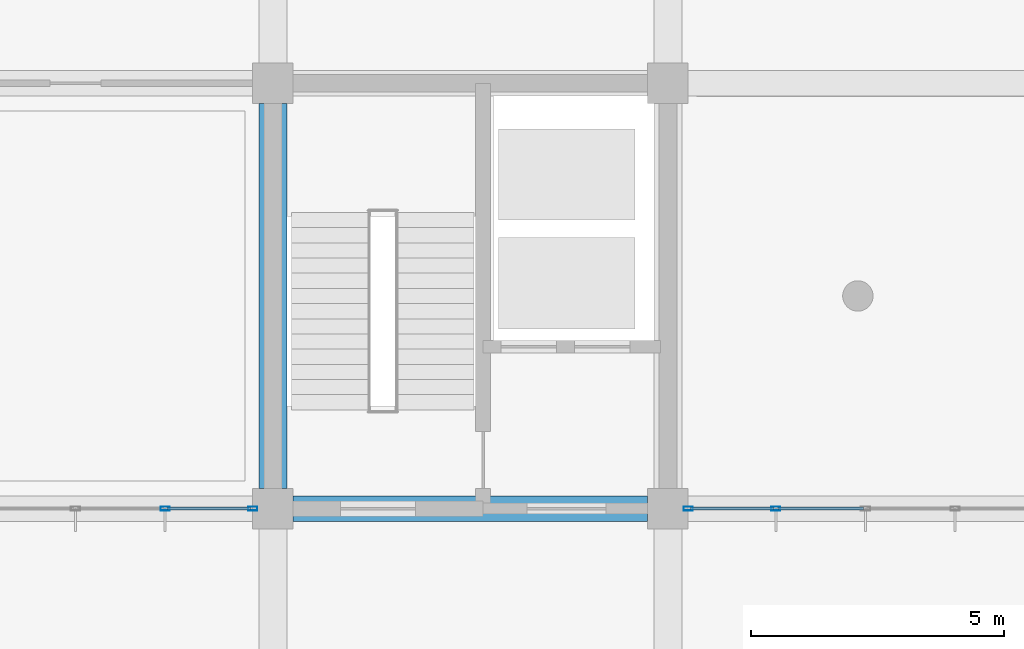
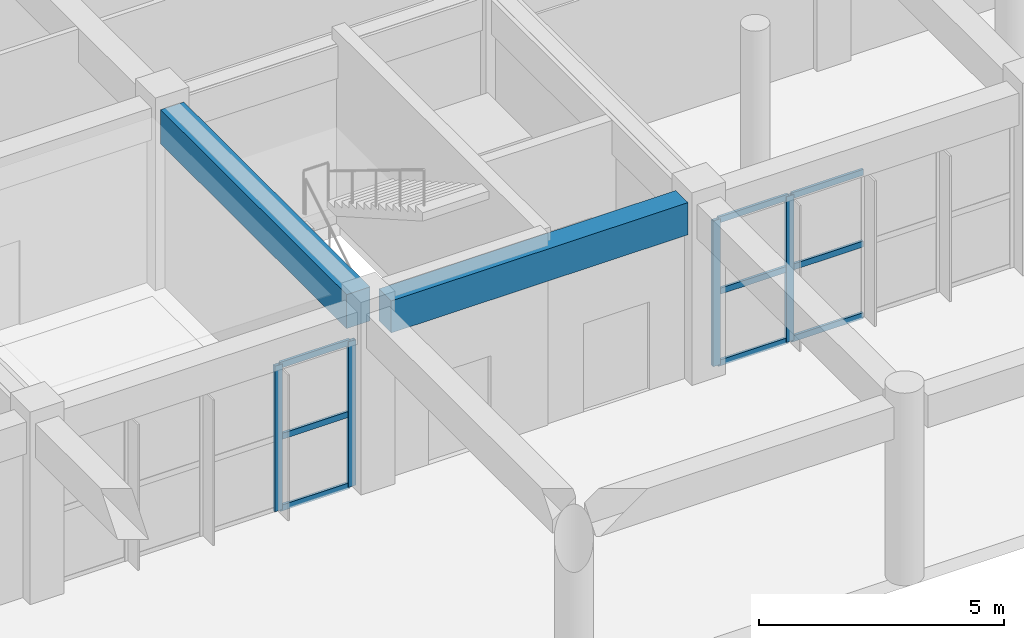
# One storey, part 18 of 139: 13 members, 2 beams, 2 elements without a shape of their own.
"""IFC4 building model written with IfcOpenShell, lengths in metres."""

from ifc_helpers import new_model, si_unit, direction, frame, origin, origin_2d, place, context, subcontext, project, spatial, rectangle, hollow_rectangle, extrude, material, layer, layer_set, material_profile, profile_set, type_object, element, aggregate, save


model = new_model("IFC4")

# Units and contexts
model_context = context("Model", 3, precision=1e-05, world=origin(), true_north=direction((0.0, 1.0)))
body_context = subcontext(model_context, "Body", "Model", "MODEL_VIEW")
ifc_project = project(units=[si_unit("LENGTHUNIT", "METRE"), si_unit("AREAUNIT", "SQUARE_METRE"), si_unit("VOLUMEUNIT", "CUBIC_METRE"), si_unit("PLANEANGLEUNIT", "RADIAN"), si_unit("MASSUNIT", "GRAM", prefix="KILO")], contexts=[model_context])

# Site, building, storey
site_placement = place(None, origin())
site = spatial("IfcSite", under=ifc_project, at=site_placement, CompositionType="ELEMENT")
building_placement = place(site_placement, origin())
building = spatial("IfcBuilding", under=site, at=building_placement, Name="Zizhar Promenade General Hospital", CompositionType="ELEMENT")
storey_placement = place(building_placement, origin())
storey = spatial("IfcBuildingStorey", under=building, at=storey_placement, Name="L00", CompositionType="ELEMENT", Elevation=0.0)

# Beams
ifc_material_1 = material(Name="Concrete C35/45", Category="concrete")
ifc_material_profile_1 = material_profile(ifc_material_1, rectangle(XDim=0.5, YDim=0.800048828125, at=origin_2d()))
ifc_profile_set_1 = profile_set([ifc_material_profile_1], Name="Concrete C35/45")
beam_type_1 = type_object("IfcBeamType", Name="BM-RC-500x800", PredefinedType="BEAM", material=ifc_profile_set_1)
beam_1_placement = place(storey_placement, frame((94.0, 8.39990234375, 4.070068359375), z_axis=(1.0, 0.0, 0.0), x_axis=(0.0, 1.0, 0.0)))
element("IfcBeam", 1, at=beam_1_placement, inside=storey, type_object=beam_type_1, Name="Grid Beam X L00 (12-1)", PredefinedType="BEAM", context=body_context, shape_type="SweptSolid", body=[
    extrude(rectangle(XDim=0.5, YDim=0.800048828125, at=origin_2d()), origin(), (0.0, 0.0, 1.0), 7.0),
])
ifc_material_2 = material(Name="Concrete C35/45", Category="concrete")
ifc_material_profile_2 = material_profile(ifc_material_2, rectangle(XDim=0.550048828125, YDim=0.85009765625, at=origin_2d()))
ifc_profile_set_2 = profile_set([ifc_material_profile_2], Name="Concrete C35/45")
beam_type_2 = type_object("IfcBeamType", Name="BM-RC-550x850", PredefinedType="BEAM", material=ifc_profile_set_2)
beam_2_placement = place(storey_placement, frame((93.60009765625, 8.800048828125, 4.044921875), z_axis=(0.0, 1.0, 0.0), x_axis=(-1.0, 0.0, 0.0)))
element("IfcBeam", 2, at=beam_2_placement, inside=storey, type_object=beam_type_2, Name="Grid Beam Y L00 (12-1)", PredefinedType="BEAM", context=body_context, shape_type="SweptSolid", body=[
    extrude(rectangle(XDim=0.550048828125, YDim=0.85009765625, at=origin_2d()), origin(), (0.0, 0.0, 1.0), 7.599853515625),
])

# Curtain wall, members
ifc_material_3 = material(Name="Anodised aluminium 6063-T6 and low-E glass", Category="aluminium")
ifc_layer = layer(ifc_material_3, 0.159912109375)
ifc_layer_set = layer_set([ifc_layer], Name="Anodised aluminium 6063-T6 and low-E glass")
curtain_wall_type = type_object("IfcCurtainWallType", Name="CW-HALL-S", PredefinedType="NOTDEFINED", material=ifc_layer_set)
curtain_wall_1_placement = place(storey_placement, origin())
curtain_wall_1 = element("IfcCurtainWall", 3, at=curtain_wall_1_placement, inside=storey, type_object=curtain_wall_type, Name="Promenade Colonnade Curtain Wall Bay 10", PredefinedType="NOTDEFINED")
ifc_material_4 = material(Name="Anodised aluminium 6063-T6", Category="aluminium")
ifc_material_profile_3 = material_profile(ifc_material_4, hollow_rectangle(XDim=0.080078125, YDim=0.179931640625, WallThickness=0.0048828125, at=origin_2d()))
ifc_profile_set_3 = profile_set([ifc_material_profile_3], Name="Anodised aluminium 6063-T6")
member_type_1 = type_object("IfcMemberType", Name="CWM-ALU-180x80", PredefinedType="MULLION", material=ifc_profile_set_3)
member_1_placement = place(storey_placement, frame((93.199951171875, 8.39990234375, 0.0), z_axis=(0.0, 0.0, 1.0), x_axis=(0.0, -1.0, 0.0)))
member_1 = element("IfcMember", 4, at=member_1_placement, type_object=member_type_1, Name="CW-01 mullion 1", PredefinedType="MULLION", context=body_context, shape_type="SweptSolid", body=[
    extrude(hollow_rectangle(XDim=0.080078125, YDim=0.179931640625, WallThickness=0.0048828125, at=origin_2d()), origin(), (0.0, 0.0, 1.0), 3.6298828125),
])
member_2_placement = place(storey_placement, frame((91.469970703125, 8.39990234375, 0.0), z_axis=(0.0, 0.0, 1.0), x_axis=(0.0, -1.0, 0.0)))
member_2 = element("IfcMember", 5, at=member_2_placement, type_object=member_type_1, Name="CW-01 mullion 2", PredefinedType="MULLION", context=body_context, shape_type="SweptSolid", body=[
    extrude(hollow_rectangle(XDim=0.080078125, YDim=0.179931640625, WallThickness=0.0048828125, at=origin_2d()), origin(), (0.0, 0.0, 1.0), 3.6298828125),
])

curtain_wall_2_placement = place(storey_placement, origin())
curtain_wall_2 = element("IfcCurtainWall", 6, at=curtain_wall_2_placement, inside=storey, type_object=curtain_wall_type, Name="Promenade Colonnade Curtain Wall Bay 12", PredefinedType="NOTDEFINED")
member_3_placement = place(storey_placement, frame((103.530029296875, 8.39990234375, 0.0), z_axis=(0.0, 0.0, 1.0), x_axis=(0.0, -1.0, 0.0)))
member_3 = element("IfcMember", 7, at=member_3_placement, type_object=member_type_1, Name="CW-01 mullion 4", PredefinedType="MULLION", context=body_context, shape_type="SweptSolid", body=[
    extrude(hollow_rectangle(XDim=0.080078125, YDim=0.179931640625, WallThickness=0.0048828125, at=origin_2d()), origin(), (0.0, 0.0, 1.0), 3.6298828125),
])
member_4_placement = place(storey_placement, frame((101.800048828125, 8.39990234375, 0.0), z_axis=(0.0, 0.0, 1.0), x_axis=(0.0, -1.0, 0.0)))
member_4 = element("IfcMember", 8, at=member_4_placement, type_object=member_type_1, Name="CW-01 mullion 5", PredefinedType="MULLION", context=body_context, shape_type="SweptSolid", body=[
    extrude(hollow_rectangle(XDim=0.080078125, YDim=0.179931640625, WallThickness=0.0048828125, at=origin_2d()), origin(), (0.0, 0.0, 1.0), 3.6298828125),
])

# Member
ifc_material_5 = material(Name="Anodised aluminium 6063-T6", Category="aluminium")
ifc_material_profile_4 = material_profile(ifc_material_5, hollow_rectangle(XDim=0.06005859375, YDim=0.14990234375, WallThickness=0.00390625, at=origin_2d()))
ifc_profile_set_4 = profile_set([ifc_material_profile_4], Name="Anodised aluminium 6063-T6")
member_type_2 = type_object("IfcMemberType", Name="CWT-ALU-150x60", PredefinedType="USERDEFINED", material=ifc_profile_set_4)
member_5_placement = place(storey_placement, frame((93.159912109375, 8.39990234375, 0.030029296875), z_axis=(-1.0, 0.0, 0.0), x_axis=(0.0, -1.0, 0.0)))
member_5 = element("IfcMember", 9, at=member_5_placement, type_object=member_type_2, Name="CW-01 transom 1.1", ObjectType="TRANSOM", PredefinedType="USERDEFINED", context=body_context, shape_type="SweptSolid", body=[
    extrude(hollow_rectangle(XDim=0.06005859375, YDim=0.14990234375, WallThickness=0.00390625, at=origin_2d()), origin(), (0.0, 0.0, 1.0), 1.64990234375),
])

member_6_placement = place(storey_placement, frame((93.159912109375, 8.39990234375, 1.81494140625), z_axis=(-1.0, 0.0, 0.0), x_axis=(0.0, -1.0, 0.0)))
member_6 = element("IfcMember", 10, at=member_6_placement, type_object=member_type_2, Name="CW-01 transom 1.2", ObjectType="TRANSOM", PredefinedType="USERDEFINED", context=body_context, shape_type="SweptSolid", body=[
    extrude(hollow_rectangle(XDim=0.06005859375, YDim=0.14990234375, WallThickness=0.00390625, at=origin_2d()), origin(), (0.0, 0.0, 1.0), 1.64990234375),
])

member_7_placement = place(storey_placement, frame((93.159912109375, 8.39990234375, 3.60009765625), z_axis=(-1.0, 0.0, 0.0), x_axis=(0.0, -1.0, 0.0)))
member_7 = element("IfcMember", 11, at=member_7_placement, type_object=member_type_2, Name="CW-01 transom 1.3", ObjectType="TRANSOM", PredefinedType="USERDEFINED", context=body_context, shape_type="SweptSolid", body=[
    extrude(hollow_rectangle(XDim=0.06005859375, YDim=0.14990234375, WallThickness=0.00390625, at=origin_2d()), origin(), (0.0, 0.0, 1.0), 1.64990234375),
])

aggregate(curtain_wall_1, [member_1, member_2, member_5, member_6, member_7])

member_8_placement = place(storey_placement, frame((105.260009765625, 8.39990234375, 0.030029296875), z_axis=(-1.0, 0.0, 0.0), x_axis=(0.0, -1.0, 0.0)))
member_8 = element("IfcMember", 12, at=member_8_placement, type_object=member_type_2, Name="CW-01 transom 3.1", ObjectType="TRANSOM", PredefinedType="USERDEFINED", context=body_context, shape_type="SweptSolid", body=[
    extrude(hollow_rectangle(XDim=0.06005859375, YDim=0.14990234375, WallThickness=0.00390625, at=origin_2d()), origin(), (0.0, 0.0, 1.0), 1.68994140625),
])

member_9_placement = place(storey_placement, frame((105.260009765625, 8.39990234375, 1.81494140625), z_axis=(-1.0, 0.0, 0.0), x_axis=(0.0, -1.0, 0.0)))
member_9 = element("IfcMember", 13, at=member_9_placement, type_object=member_type_2, Name="CW-01 transom 3.2", ObjectType="TRANSOM", PredefinedType="USERDEFINED", context=body_context, shape_type="SweptSolid", body=[
    extrude(hollow_rectangle(XDim=0.06005859375, YDim=0.14990234375, WallThickness=0.00390625, at=origin_2d()), origin(), (0.0, 0.0, 1.0), 1.68994140625),
])

member_10_placement = place(storey_placement, frame((105.260009765625, 8.39990234375, 3.60009765625), z_axis=(-1.0, 0.0, 0.0), x_axis=(0.0, -1.0, 0.0)))
member_10 = element("IfcMember", 14, at=member_10_placement, type_object=member_type_2, Name="CW-01 transom 3.3", ObjectType="TRANSOM", PredefinedType="USERDEFINED", context=body_context, shape_type="SweptSolid", body=[
    extrude(hollow_rectangle(XDim=0.06005859375, YDim=0.14990234375, WallThickness=0.00390625, at=origin_2d()), origin(), (0.0, 0.0, 1.0), 1.68994140625),
])

member_11_placement = place(storey_placement, frame((103.489990234375, 8.39990234375, 0.030029296875), z_axis=(-1.0, 0.0, 0.0), x_axis=(0.0, -1.0, 0.0)))
member_11 = element("IfcMember", 15, at=member_11_placement, type_object=member_type_2, Name="CW-01 transom 4.1", ObjectType="TRANSOM", PredefinedType="USERDEFINED", context=body_context, shape_type="SweptSolid", body=[
    extrude(hollow_rectangle(XDim=0.06005859375, YDim=0.14990234375, WallThickness=0.00390625, at=origin_2d()), origin(), (0.0, 0.0, 1.0), 1.64990234375),
])

member_12_placement = place(storey_placement, frame((103.489990234375, 8.39990234375, 1.81494140625), z_axis=(-1.0, 0.0, 0.0), x_axis=(0.0, -1.0, 0.0)))
member_12 = element("IfcMember", 16, at=member_12_placement, type_object=member_type_2, Name="CW-01 transom 4.2", ObjectType="TRANSOM", PredefinedType="USERDEFINED", context=body_context, shape_type="SweptSolid", body=[
    extrude(hollow_rectangle(XDim=0.06005859375, YDim=0.14990234375, WallThickness=0.00390625, at=origin_2d()), origin(), (0.0, 0.0, 1.0), 1.64990234375),
])

member_13_placement = place(storey_placement, frame((103.489990234375, 8.39990234375, 3.60009765625), z_axis=(-1.0, 0.0, 0.0), x_axis=(0.0, -1.0, 0.0)))
member_13 = element("IfcMember", 17, at=member_13_placement, type_object=member_type_2, Name="CW-01 transom 4.3", ObjectType="TRANSOM", PredefinedType="USERDEFINED", context=body_context, shape_type="SweptSolid", body=[
    extrude(hollow_rectangle(XDim=0.06005859375, YDim=0.14990234375, WallThickness=0.00390625, at=origin_2d()), origin(), (0.0, 0.0, 1.0), 1.64990234375),
])

aggregate(curtain_wall_2, [member_3, member_4, member_8, member_9, member_10, member_11, member_12, member_13])

save(model, "model.ifc")
